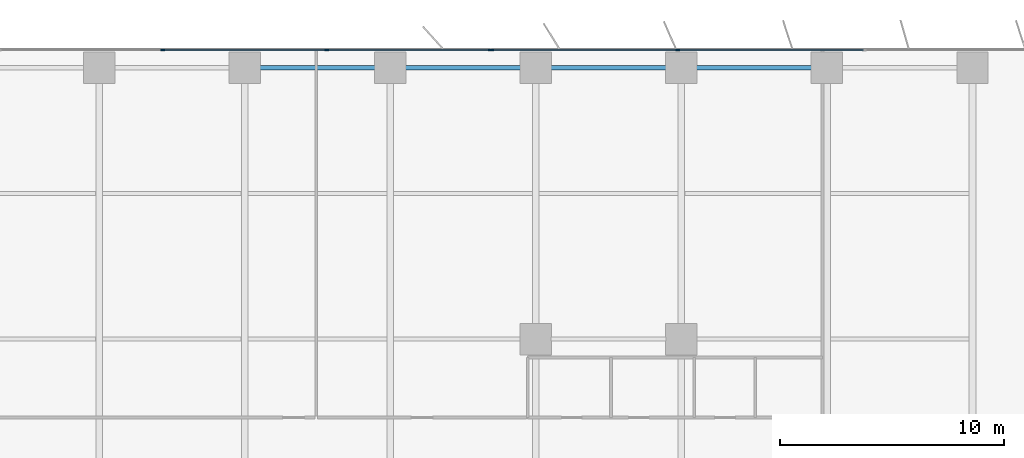
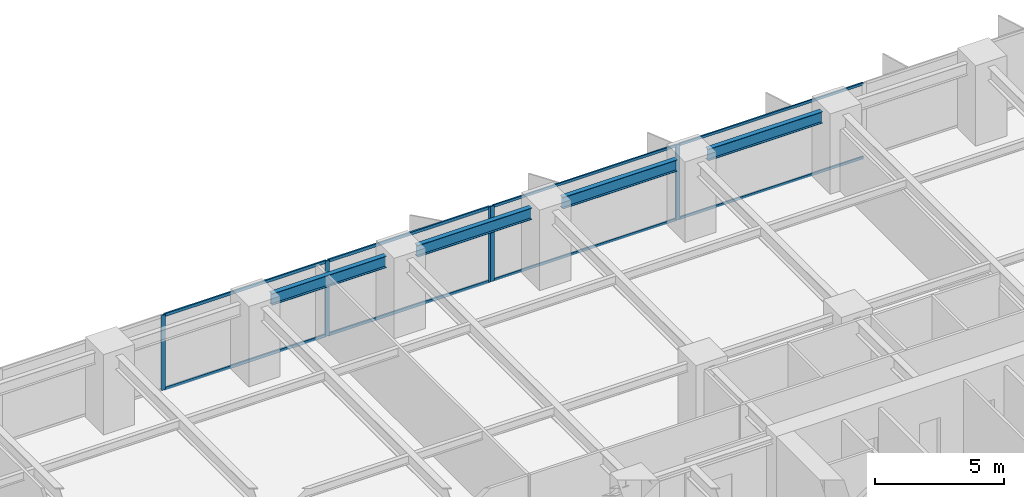
# One storey, part 9 of 20: 13 members, 4 beams, 2 elements without a shape of their own.
"""IFC4 building model written with IfcOpenShell, lengths in metres."""

from ifc_helpers import new_model, si_unit, direction, frame, origin, origin_2d, place, context, subcontext, project, spatial, rectangle, i_section, extrude, material, layer, layer_set, material_profile, profile_set, type_object, element, aggregate, save


model = new_model("IFC4")

# Units and contexts
model_context = context("Model", 3, precision=1e-05, world=origin(), true_north=direction((0.0, 1.0)))
body_context = subcontext(model_context, "Body", "Model", "MODEL_VIEW")
ifc_project = project(units=[si_unit("LENGTHUNIT", "METRE"), si_unit("AREAUNIT", "SQUARE_METRE"), si_unit("VOLUMEUNIT", "CUBIC_METRE"), si_unit("PLANEANGLEUNIT", "RADIAN"), si_unit("MASSUNIT", "GRAM", prefix="KILO")], contexts=[model_context])

# Site, building, storey
site_placement = place(None, origin())
site = spatial("IfcSite", under=ifc_project, at=site_placement, CompositionType="ELEMENT")
building_placement = place(site_placement, origin())
building = spatial("IfcBuilding", under=site, at=building_placement, Name="Putna Gate Headquarters", CompositionType="ELEMENT")
storey_placement = place(building_placement, frame((0.0, 0.0, 54.39990234375)))
storey = spatial("IfcBuildingStorey", under=building, at=storey_placement, Name="L12", CompositionType="ELEMENT", Elevation=54.39990234375)

# Beams
ifc_material_1 = material(Name="Steel S355J2", Category="steel")
ifc_material_profile_1 = material_profile(ifc_material_1, i_section(OverallWidth=0.2099609375, OverallDepth=0.550048828125, WebThickness=0.010986328125, FlangeThickness=0.01708984375, at=origin_2d()), Name="Steel S355J2")
ifc_profile_set_1 = profile_set([ifc_material_profile_1], Name="Steel S355J2")
beam_type = type_object("IfcBeamType", Name="BM-SPAN-Z1-IPE550", PredefinedType="SPANDREL", material=ifc_profile_set_1)
for number, where, z_axis, x_axis, name in (
    (1, (39.68798828125, 51.1201171875, 3.275146484375), (1.0, 0.0, 0.0), (0.0, 1.0, 0.0), "L12 N Perimeter Spandrel 6"),
    (2, (46.18798828125, 51.1201171875, 3.275146484375), (1.0, 0.0, 0.0), (0.0, 1.0, 0.0), "L12 N Perimeter Spandrel 7"),
    (3, (52.68798828125, 51.1201171875, 3.275146484375), (1.0, 0.0, 0.0), (0.0, 1.0, 0.0), "L12 N Perimeter Spandrel 8"),
    (4, (59.18798828125, 51.1201171875, 3.275146484375), (1.0, 0.0, 0.0), (0.0, 1.0, 0.0), "L12 N Perimeter Spandrel 9"),
):
    element("IfcBeam", number, at=place(storey_placement, frame(where, z_axis=z_axis, x_axis=x_axis)), inside=storey, type_object=beam_type, Name=name, PredefinedType="SPANDREL", context=body_context, shape_type="SweptSolid", body=[
        extrude(i_section(OverallWidth=0.2099609375, OverallDepth=0.550048828125, WebThickness=0.010986328125, FlangeThickness=0.01708984375, at=origin_2d()), origin(), (0.0, 0.0, 1.0), 5.1240234375),
    ])

# Curtain wall, members
ifc_material_2 = material(Name="Anodised bronze aluminium curtain wall", Category="aluminium")
ifc_layer_1 = layer(ifc_material_2, 0.179931640625)
ifc_layer_set_1 = layer_set([ifc_layer_1], Name="Anodised bronze aluminium curtain wall")
curtain_wall_type_1 = type_object("IfcCurtainWallType", Name="CW-SYS-Z1", PredefinedType="USERDEFINED", material=ifc_layer_set_1)
curtain_wall_1_placement = place(storey_placement, origin())
curtain_wall_1 = element("IfcCurtainWall", 5, at=curtain_wall_1_placement, inside=storey, type_object=curtain_wall_type_1, Name="L12 North East Curtain Wall", ObjectType="STICK CURTAIN WALL", PredefinedType="USERDEFINED")
ifc_material_3 = material(Name="Anodised bronze aluminium EN AW-6060", Category="aluminium")
ifc_material_profile_2 = material_profile(ifc_material_3, rectangle(XDim=0.070068359375, YDim=0.179931640625, at=origin_2d()), Name="Anodised bronze aluminium EN AW-6060")
ifc_profile_set_2 = profile_set([ifc_material_profile_2], Name="Anodised bronze aluminium EN AW-6060")
member_type_1 = type_object("IfcMemberType", Name="MULL-CWM-1", PredefinedType="MULLION", material=ifc_profile_set_2)
member_1_placement = place(storey_placement, frame((50.034912109375, 51.919921875, 0.0), z_axis=(0.0, 0.0, 1.0), x_axis=(0.0, 1.0, 0.0)))
member_1 = element("IfcMember", 6, at=member_1_placement, type_object=member_type_1, Name="CWS-1 mullion 1", PredefinedType="MULLION", context=body_context, shape_type="SweptSolid", body=[
    extrude(rectangle(XDim=0.070068359375, YDim=0.179931640625, at=origin_2d()), origin(), (0.0, 0.0, 1.0), 3.550048828125),
])
member_2_placement = place(storey_placement, frame((58.333251953125, 51.919921875, 0.0), z_axis=(0.0, 0.0, 1.0), x_axis=(0.0, 1.0, 0.0)))
member_2 = element("IfcMember", 7, at=member_2_placement, type_object=member_type_1, Name="CWS-1 mullion 2", PredefinedType="MULLION", context=body_context, shape_type="SweptSolid", body=[
    extrude(rectangle(XDim=0.070068359375, YDim=0.179931640625, at=origin_2d()), origin(), (0.0, 0.0, 1.0), 3.550048828125),
])

ifc_layer_2 = layer(ifc_material_2, 0.179931640625)
ifc_layer_set_2 = layer_set([ifc_layer_2], Name="Anodised bronze aluminium curtain wall")
curtain_wall_type_2 = type_object("IfcCurtainWallType", Name="CW-SYS-ATR", PredefinedType="USERDEFINED", material=ifc_layer_set_2)
curtain_wall_2_placement = place(storey_placement, origin())
curtain_wall_2 = element("IfcCurtainWall", 8, at=curtain_wall_2_placement, inside=storey, type_object=curtain_wall_type_2, Name="L12 North Atrium Clear Glazing", ObjectType="ATRIUM GLAZING", PredefinedType="USERDEFINED")
ifc_material_profile_3 = material_profile(ifc_material_3, rectangle(XDim=0.070068359375, YDim=0.179931640625, at=origin_2d()), Name="Anodised bronze aluminium EN AW-6060")
ifc_profile_set_3 = profile_set([ifc_material_profile_3], Name="Anodised bronze aluminium EN AW-6060")
member_type_2 = type_object("IfcMemberType", Name="MULL-CWM-AT", PredefinedType="MULLION", material=ifc_profile_set_3)
member_3_placement = place(storey_placement, frame((35.333251953125, 51.919921875, 0.0), z_axis=(0.0, 0.0, 1.0), x_axis=(0.0, 1.0, 0.0)))
member_3 = element("IfcMember", 9, at=member_3_placement, type_object=member_type_2, Name="CWS-AT mullion 2", PredefinedType="MULLION", context=body_context, shape_type="SweptSolid", body=[
    extrude(rectangle(XDim=0.070068359375, YDim=0.179931640625, at=origin_2d()), origin(), (0.0, 0.0, 1.0), 3.550048828125),
])
member_4_placement = place(storey_placement, frame((42.666748046875, 51.919921875, 0.0), z_axis=(0.0, 0.0, 1.0), x_axis=(0.0, 1.0, 0.0)))
member_4 = element("IfcMember", 10, at=member_4_placement, type_object=member_type_2, Name="CWS-AT mullion 3", PredefinedType="MULLION", context=body_context, shape_type="SweptSolid", body=[
    extrude(rectangle(XDim=0.070068359375, YDim=0.179931640625, at=origin_2d()), origin(), (0.0, 0.0, 1.0), 3.550048828125),
])
member_5_placement = place(storey_placement, frame((49.965087890625, 51.919921875, 0.0), z_axis=(0.0, 0.0, 1.0), x_axis=(0.0, 1.0, 0.0)))
member_5 = element("IfcMember", 11, at=member_5_placement, type_object=member_type_2, Name="CWS-AT mullion 4", PredefinedType="MULLION", context=body_context, shape_type="SweptSolid", body=[
    extrude(rectangle(XDim=0.070068359375, YDim=0.179931640625, at=origin_2d()), origin(), (0.0, 0.0, 1.0), 3.550048828125),
])

# Member
ifc_material_profile_4 = material_profile(ifc_material_3, rectangle(XDim=0.06494140625, YDim=0.1201171875, at=origin_2d()), Name="Anodised bronze aluminium EN AW-6060")
ifc_profile_set_4 = profile_set([ifc_material_profile_4], Name="Anodised bronze aluminium EN AW-6060")
member_type_3 = type_object("IfcMemberType", Name="TRAN-CWT-1", PredefinedType="USERDEFINED", material=ifc_profile_set_4)
member_6_placement = place(storey_placement, frame((50.070068359375, 51.919921875, 0.03271484375), z_axis=(1.0, 0.0, 0.0), x_axis=(0.0, 1.0, 0.0)))
member_6 = element("IfcMember", 12, at=member_6_placement, type_object=member_type_3, Name="CWS-1 transom 1.1", ObjectType="TRANSOM", PredefinedType="USERDEFINED", context=body_context, shape_type="SweptSolid", body=[
    extrude(rectangle(XDim=0.06494140625, YDim=0.1201171875, at=origin_2d()), origin(), (0.0, 0.0, 1.0), 8.228271484375),
])

member_7_placement = place(storey_placement, frame((50.070068359375, 51.919921875, 3.517578125), z_axis=(1.0, 0.0, 0.0), x_axis=(0.0, 1.0, 0.0)))
member_7 = element("IfcMember", 13, at=member_7_placement, type_object=member_type_3, Name="CWS-1 transom 1.2", ObjectType="TRANSOM", PredefinedType="USERDEFINED", context=body_context, shape_type="SweptSolid", body=[
    extrude(rectangle(XDim=0.06494140625, YDim=0.1201171875, at=origin_2d()), origin(), (0.0, 0.0, 1.0), 8.228271484375),
])

member_8_placement = place(storey_placement, frame((58.368408203125, 51.919921875, 0.03271484375), z_axis=(1.0, 0.0, 0.0), x_axis=(0.0, 1.0, 0.0)))
member_8 = element("IfcMember", 14, at=member_8_placement, type_object=member_type_3, Name="CWS-1 transom 2.1", ObjectType="TRANSOM", PredefinedType="USERDEFINED", context=body_context, shape_type="SweptSolid", body=[
    extrude(rectangle(XDim=0.06494140625, YDim=0.1201171875, at=origin_2d()), origin(), (0.0, 0.0, 1.0), 8.26318359375),
])

member_9_placement = place(storey_placement, frame((58.368408203125, 51.919921875, 3.517578125), z_axis=(1.0, 0.0, 0.0), x_axis=(0.0, 1.0, 0.0)))
member_9 = element("IfcMember", 15, at=member_9_placement, type_object=member_type_3, Name="CWS-1 transom 2.2", ObjectType="TRANSOM", PredefinedType="USERDEFINED", context=body_context, shape_type="SweptSolid", body=[
    extrude(rectangle(XDim=0.06494140625, YDim=0.1201171875, at=origin_2d()), origin(), (0.0, 0.0, 1.0), 8.26318359375),
])

aggregate(curtain_wall_1, [member_1, member_2, member_6, member_7, member_8, member_9])

ifc_material_profile_5 = material_profile(ifc_material_3, rectangle(XDim=0.070068359375, YDim=0.139892578125, at=origin_2d()), Name="Anodised bronze aluminium EN AW-6060")
ifc_profile_set_5 = profile_set([ifc_material_profile_5], Name="Anodised bronze aluminium EN AW-6060")
member_type_4 = type_object("IfcMemberType", Name="TRAN-CWT-AT", PredefinedType="USERDEFINED", material=ifc_profile_set_5)
member_10_placement = place(storey_placement, frame((35.368408203125, 51.919921875, 0.03515625), z_axis=(1.0, 0.0, 0.0), x_axis=(0.0, 1.0, 0.0)))
member_10 = element("IfcMember", 16, at=member_10_placement, type_object=member_type_4, Name="CWS-AT transom 2.1", ObjectType="TRANSOM", PredefinedType="USERDEFINED", context=body_context, shape_type="SweptSolid", body=[
    extrude(rectangle(XDim=0.070068359375, YDim=0.139892578125, at=origin_2d()), origin(), (0.0, 0.0, 1.0), 7.26318359375),
])

member_11_placement = place(storey_placement, frame((35.368408203125, 51.919921875, 3.51513671875), z_axis=(1.0, 0.0, 0.0), x_axis=(0.0, 1.0, 0.0)))
member_11 = element("IfcMember", 17, at=member_11_placement, type_object=member_type_4, Name="CWS-AT transom 2.2", ObjectType="TRANSOM", PredefinedType="USERDEFINED", context=body_context, shape_type="SweptSolid", body=[
    extrude(rectangle(XDim=0.070068359375, YDim=0.139892578125, at=origin_2d()), origin(), (0.0, 0.0, 1.0), 7.26318359375),
])

member_12_placement = place(storey_placement, frame((42.70166015625, 51.919921875, 0.03515625), z_axis=(1.0, 0.0, 0.0), x_axis=(0.0, 1.0, 0.0)))
member_12 = element("IfcMember", 18, at=member_12_placement, type_object=member_type_4, Name="CWS-AT transom 3.1", ObjectType="TRANSOM", PredefinedType="USERDEFINED", context=body_context, shape_type="SweptSolid", body=[
    extrude(rectangle(XDim=0.070068359375, YDim=0.139892578125, at=origin_2d()), origin(), (0.0, 0.0, 1.0), 7.228271484375),
])

member_13_placement = place(storey_placement, frame((42.70166015625, 51.919921875, 3.51513671875), z_axis=(1.0, 0.0, 0.0), x_axis=(0.0, 1.0, 0.0)))
member_13 = element("IfcMember", 19, at=member_13_placement, type_object=member_type_4, Name="CWS-AT transom 3.2", ObjectType="TRANSOM", PredefinedType="USERDEFINED", context=body_context, shape_type="SweptSolid", body=[
    extrude(rectangle(XDim=0.070068359375, YDim=0.139892578125, at=origin_2d()), origin(), (0.0, 0.0, 1.0), 7.228271484375),
])

aggregate(curtain_wall_2, [member_3, member_4, member_5, member_10, member_11, member_12, member_13])

save(model, "model.ifc")
